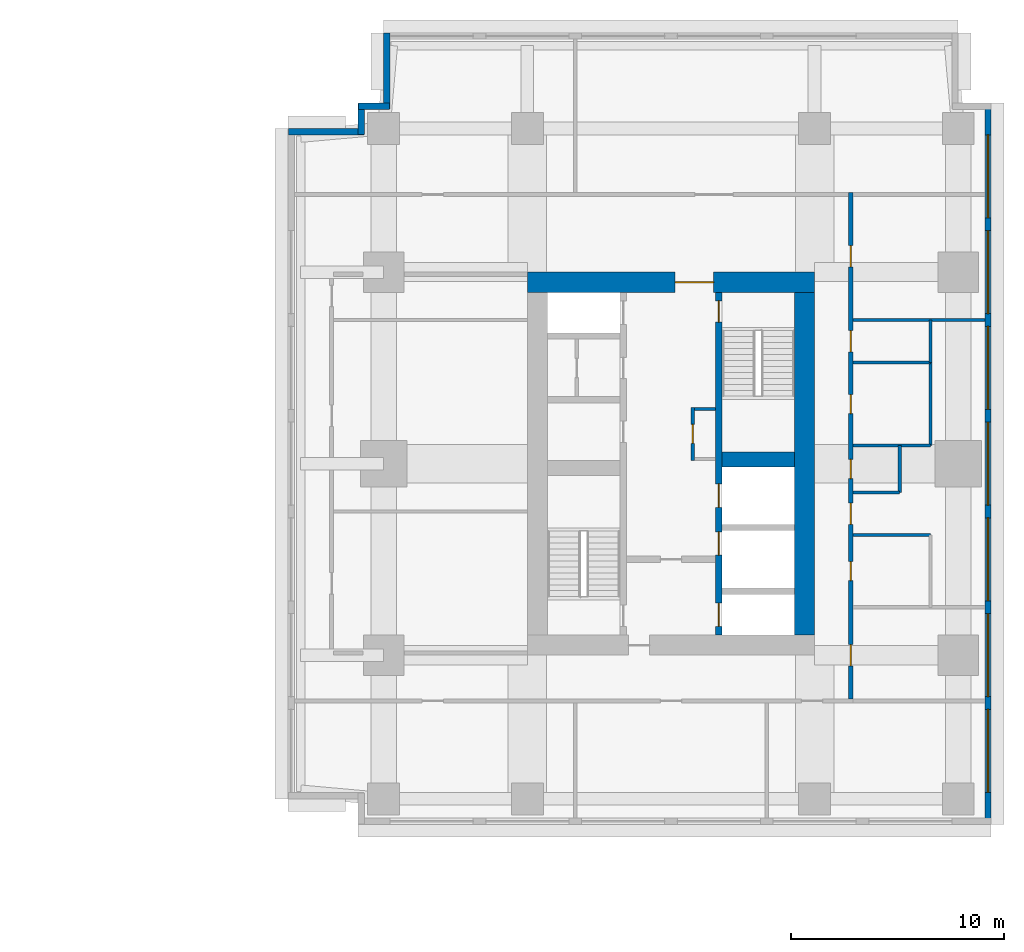
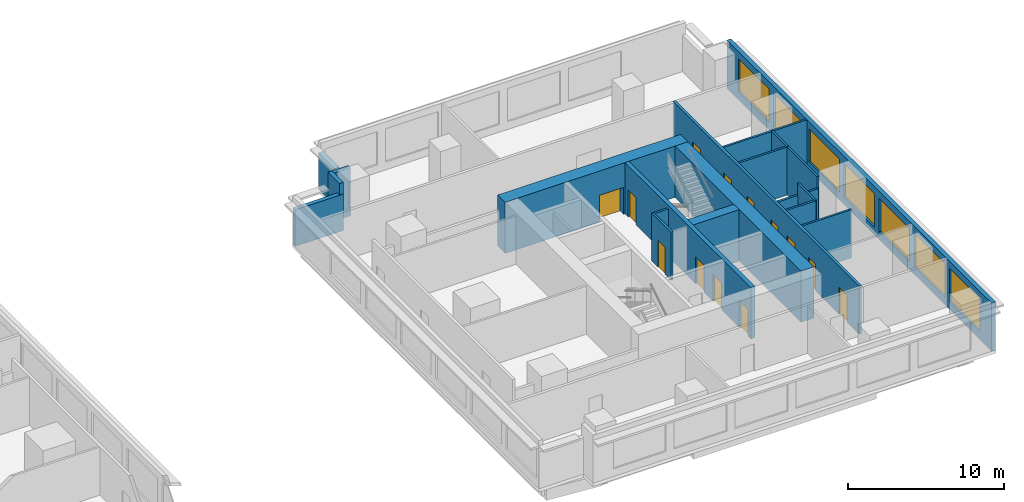
# One storey, part 7 of 10: 20 walls, 13 doors, 7 windows, 20 openings.
"""IFC4 building model written with IfcOpenShell, lengths in metres."""

from ifc_helpers import new_model, si_unit, direction, frame, frame_2d, origin, place, context, subcontext, project, spatial, rectangle, extrude, material, layer, layer_set, type_object, element, fill, save


model = new_model("IFC4")

# Units and contexts
model_context = context("Model", 3, precision=1e-05, world=origin(), true_north=direction((0.0, 1.0)))
body_context = subcontext(model_context, "Body", "Model", "MODEL_VIEW")
ifc_project = project(units=[si_unit("LENGTHUNIT", "METRE"), si_unit("AREAUNIT", "SQUARE_METRE"), si_unit("VOLUMEUNIT", "CUBIC_METRE"), si_unit("PLANEANGLEUNIT", "RADIAN"), si_unit("MASSUNIT", "GRAM", prefix="KILO")], contexts=[model_context])

# Site, building, storey
site_placement = place(None, origin())
site = spatial("IfcSite", under=ifc_project, at=site_placement, CompositionType="ELEMENT")
building_placement = place(site_placement, origin())
building = spatial("IfcBuilding", under=site, at=building_placement, Name="Namib Vertical Campus", CompositionType="ELEMENT")
storey_placement = place(building_placement, frame((0.0, 0.0, 145.0)))
storey = spatial("IfcBuildingStorey", under=building, at=storey_placement, Name="L34", CompositionType="ELEMENT", Elevation=145.0)

# Wall, openings, doors
ifc_material_1 = material(Name="Concrete C60/75", Category="concrete")
ifc_layer_1 = layer(ifc_material_1, 0.300048828125)
ifc_layer_set_1 = layer_set([ifc_layer_1], Name="Concrete C60/75")
wall_type_1 = type_object("IfcWallType", Name="Core inner wall 300", PredefinedType="SHEAR", material=ifc_layer_set_1)
wall_1_placement = place(storey_placement, frame((83.25, 12.199951171875, 0.0), z_axis=(0.0, 0.0, 1.0), x_axis=(0.0, 1.0, 0.0)))
wall_1 = element("IfcWall", 1, at=wall_1_placement, inside=storey, type_object=wall_type_1, Name="Core inner wall B L34 W2", PredefinedType="SHEAR", context=body_context, shape_type="SweptSolid", body=[
    extrude(rectangle(XDim=16.10009765625, YDim=0.300048828125, at=frame_2d((8.050048828125, 0.0))), origin(), (0.0, 0.0, 1.0), 4.0),
])
opening_1_placement = place(wall_1_placement, frame((14.699951171875, 0.0, 0.0)))
opening_1 = element("IfcOpeningElement", 2, at=opening_1_placement, cuts=wall_1, Name="Opening FD1", PredefinedType="OPENING", context=body_context, shape_type="SweptSolid", body=[
    extrude(rectangle(XDim=1.0, YDim=2.10009765625, at=frame_2d((0.5, 1.050048828125))), frame((0.0, 0.159912109375, 0.0), z_axis=(0.0, -1.0, 0.0), x_axis=(1.0, 0.0, 0.0)), (0.0, 0.0, 1.0), 0.320068359375),
])
opening_2_placement = place(wall_1_placement, frame((0.39990234375, 0.0, 0.0)))
opening_2 = element("IfcOpeningElement", 3, at=opening_2_placement, cuts=wall_1, Name="Opening LD1", PredefinedType="OPENING", context=body_context, shape_type="SweptSolid", body=[
    extrude(rectangle(XDim=1.10009765625, YDim=2.10009765625, at=frame_2d((0.550048828125, 1.050048828125))), frame((0.0, 0.159912109375, 0.0), z_axis=(0.0, -1.0, 0.0), x_axis=(1.0, 0.0, 0.0)), (0.0, 0.0, 1.0), 0.320068359375),
])
opening_3_placement = place(wall_1_placement, frame((3.75, 0.0, 0.0)))
opening_3 = element("IfcOpeningElement", 4, at=opening_3_placement, cuts=wall_1, Name="Opening LD1", PredefinedType="OPENING", context=body_context, shape_type="SweptSolid", body=[
    extrude(rectangle(XDim=1.10009765625, YDim=2.10009765625, at=frame_2d((0.550048828125, 1.050048828125))), frame((0.0, 0.159912109375, 0.0), z_axis=(0.0, -1.0, 0.0), x_axis=(1.0, 0.0, 0.0)), (0.0, 0.0, 1.0), 0.320068359375),
])
opening_4_placement = place(wall_1_placement, frame((6.0, 0.0, 0.0)))
opening_4 = element("IfcOpeningElement", 5, at=opening_4_placement, cuts=wall_1, Name="Opening LD1", PredefinedType="OPENING", context=body_context, shape_type="SweptSolid", body=[
    extrude(rectangle(XDim=1.10009765625, YDim=2.10009765625, at=frame_2d((0.550048828125, 1.050048828125))), frame((0.0, 0.159912109375, 0.0), z_axis=(0.0, -1.0, 0.0), x_axis=(1.0, 0.0, 0.0)), (0.0, 0.0, 1.0), 0.320068359375),
])
ifc_material_2 = material(Name="Steel fire door", Category="steel")
door_type_1 = type_object("IfcDoorType", Name="Fire door 1000x2100", OperationType="SINGLE_SWING_RIGHT", PredefinedType="DOOR", material=ifc_material_2)
door_1_placement = place(opening_1_placement, frame((1.0, 0.0, 0.0), z_axis=(0.0, 0.0, 1.0), x_axis=(-1.0, 0.0, 0.0)))
door_1 = element("IfcDoor", 6, at=door_1_placement, inside=storey, type_object=door_type_1, Name="Stair door FD1 B L34 S2", OperationType="SINGLE_SWING_LEFT", OverallHeight=2.10009765625, OverallWidth=1.0, PredefinedType="DOOR", context=body_context, shape_type="SweptSolid", body=[
    extrude(rectangle(XDim=1.0, YDim=2.10009765625, at=frame_2d((0.5, 1.050048828125))), frame((0.0, 0.02490234375, 0.0), z_axis=(0.0, -1.0, 0.0), x_axis=(1.0, 0.0, 0.0)), (0.0, 0.0, 1.0), 0.050048828125),
])
fill(opening_1, door_1)
ifc_material_3 = material(Name="Stainless steel lift door", Category="steel")
door_type_2 = type_object("IfcDoorType", Name="Lift landing door 1100x2100", OperationType="DOUBLE_DOOR_SLIDING", PredefinedType="DOOR", material=ifc_material_3)
door_2_placement = place(opening_2_placement, origin())
door_2 = element("IfcDoor", 7, at=door_2_placement, inside=storey, type_object=door_type_2, Name="Lift landing door LD1 B-FL1 L34", OperationType="DOUBLE_DOOR_SLIDING", OverallHeight=2.10009765625, OverallWidth=1.10009765625, PredefinedType="DOOR", context=body_context, shape_type="SweptSolid", body=[
    extrude(rectangle(XDim=1.10009765625, YDim=2.10009765625, at=frame_2d((0.550048828125, 1.050048828125))), frame((0.0, 0.02490234375, 0.0), z_axis=(0.0, -1.0, 0.0), x_axis=(1.0, 0.0, 0.0)), (0.0, 0.0, 1.0), 0.050048828125),
])
fill(opening_2, door_2)
door_3_placement = place(opening_3_placement, origin())
door_3 = element("IfcDoor", 8, at=door_3_placement, inside=storey, type_object=door_type_2, Name="Lift landing door LD1 B-P4 L34", OperationType="DOUBLE_DOOR_SLIDING", OverallHeight=2.10009765625, OverallWidth=1.10009765625, PredefinedType="DOOR", context=body_context, shape_type="SweptSolid", body=[
    extrude(rectangle(XDim=1.10009765625, YDim=2.10009765625, at=frame_2d((0.550048828125, 1.050048828125))), frame((0.0, 0.02490234375, 0.0), z_axis=(0.0, -1.0, 0.0), x_axis=(1.0, 0.0, 0.0)), (0.0, 0.0, 1.0), 0.050048828125),
])
fill(opening_3, door_3)
door_4_placement = place(opening_4_placement, origin())
door_4 = element("IfcDoor", 9, at=door_4_placement, inside=storey, type_object=door_type_2, Name="Lift landing door LD1 B-P5 L34", OperationType="DOUBLE_DOOR_SLIDING", OverallHeight=2.10009765625, OverallWidth=1.10009765625, PredefinedType="DOOR", context=body_context, shape_type="SweptSolid", body=[
    extrude(rectangle(XDim=1.10009765625, YDim=2.10009765625, at=frame_2d((0.550048828125, 1.050048828125))), frame((0.0, 0.02490234375, 0.0), z_axis=(0.0, -1.0, 0.0), x_axis=(1.0, 0.0, 0.0)), (0.0, 0.0, 1.0), 0.050048828125),
])
fill(opening_4, door_4)

# Walls
ifc_material_4 = material(Name="Concrete C60/75", Category="concrete")
ifc_layer_2 = layer(ifc_material_4, 0.699951171875)
ifc_layer_set_2 = layer_set([ifc_layer_2], Name="Concrete C60/75")
wall_type_2 = type_object("IfcWallType", Name="Core shear wall 700", PredefinedType="SHEAR", material=ifc_layer_set_2)
wall_2_placement = place(storey_placement, frame((83.39990234375, 20.449951171875, 0.0), z_axis=(0.0, 0.0, 1.0), x_axis=(1.0, 0.0, 0.0)))
element("IfcWall", 10, at=wall_2_placement, inside=storey, type_object=wall_type_2, Name="Core shear wall B L34 W7", PredefinedType="SHEAR", context=body_context, shape_type="SweptSolid", body=[
    extrude(rectangle(XDim=3.400146484375, YDim=0.699951171875, at=frame_2d((1.7001953125, 0.0))), origin(), (0.0, 0.0, 1.0), 4.0),
])
ifc_material_5 = material(Name="Concrete C60/75", Category="concrete")
ifc_layer_3 = layer(ifc_material_5, 0.949951171875)
ifc_layer_set_3 = layer_set([ifc_layer_3], Name="Concrete C60/75")
wall_type_3 = type_object("IfcWallType", Name="Core wall 950", PredefinedType="SHEAR", material=ifc_layer_set_3)
wall_3_placement = place(storey_placement, frame((87.27490234375, 12.199951171875, 0.0), z_axis=(0.0, 0.0, 1.0), x_axis=(0.0, 1.0, 0.0)))
element("IfcWall", 11, at=wall_3_placement, inside=storey, type_object=wall_type_3, Name="Core wall B L34 2", PredefinedType="SHEAR", context=body_context, shape_type="SweptSolid", body=[
    extrude(rectangle(XDim=16.10009765625, YDim=0.949951171875, at=frame_2d((8.050048828125, 0.0))), origin(), (0.0, 0.0, 1.0), 4.0),
])

# Wall, opening, door
wall_4_placement = place(storey_placement, frame((87.75, 28.77490234375, 0.0), z_axis=(0.0, 0.0, 1.0), x_axis=(-1.0, 0.0, 0.0)))
wall_4 = element("IfcWall", 12, at=wall_4_placement, inside=storey, type_object=wall_type_3, Name="Core wall B L34 3", PredefinedType="SHEAR", context=body_context, shape_type="SweptSolid", body=[
    extrude(rectangle(XDim=13.5, YDim=0.949951171875, at=frame_2d((6.75, 0.0))), origin(), (0.0, 0.0, 1.0), 4.0),
])
opening_5_placement = place(wall_4_placement, frame((4.75, 0.0, 0.0)))
opening_5 = element("IfcOpeningElement", 13, at=opening_5_placement, cuts=wall_4, Name="Opening FD2", PredefinedType="OPENING", context=body_context, shape_type="SweptSolid", body=[
    extrude(rectangle(XDim=1.800048828125, YDim=2.10009765625, at=frame_2d((0.89990234375, 1.050048828125))), frame((0.0, 0.48486328125, 0.0), z_axis=(0.0, -1.0, 0.0), x_axis=(1.0, 0.0, 0.0)), (0.0, 0.0, 1.0), 0.969970703125),
])
ifc_material_6 = material(Name="Steel fire door", Category="steel")
door_type_3 = type_object("IfcDoorType", Name="Fire door double 1800x2100", OperationType="DOUBLE_DOOR_SINGLE_SWING", PredefinedType="DOOR", material=ifc_material_6)
door_5_placement = place(opening_5_placement, origin())
door_5 = element("IfcDoor", 14, at=door_5_placement, inside=storey, type_object=door_type_3, Name="Lift lobby door FD2 B L34", OperationType="DOUBLE_DOOR_SINGLE_SWING", OverallHeight=2.10009765625, OverallWidth=1.800048828125, PredefinedType="DOOR", context=body_context, shape_type="SweptSolid", body=[
    extrude(rectangle(XDim=1.800048828125, YDim=2.10009765625, at=frame_2d((0.89990234375, 1.050048828125))), frame((0.0, 0.02490234375, 0.0), z_axis=(0.0, -1.0, 0.0), x_axis=(1.0, 0.0, 0.0)), (0.0, 0.0, 1.0), 0.050048828125),
])
fill(opening_5, door_5)

# Wall, openings, doors
ifc_material_7 = material(Name="Concrete masonry", Category="masonry")
ifc_layer_4 = layer(ifc_material_7, 0.199951171875)
ifc_layer_set_4 = layer_set([ifc_layer_4], Name="Corridor wall 200")
wall_type_4 = type_object("IfcWallType", Name="Corridor wall 200", PredefinedType="SOLIDWALL", material=ifc_layer_set_4)
wall_5_placement = place(storey_placement, frame((89.449951171875, 9.199951171875, 0.0), z_axis=(0.0, 0.0, 1.0), x_axis=(0.0, 1.0, 0.0)))
wall_5 = element("IfcWall", 15, at=wall_5_placement, inside=storey, type_object=wall_type_4, Name="Corridor wall B L34 CE", PredefinedType="SOLIDWALL", context=body_context, shape_type="SweptSolid", body=[
    extrude(rectangle(XDim=23.800048828125, YDim=0.199951171875, at=frame_2d((11.89990234375, 0.0))), origin(), (0.0, 0.0, 1.0), 3.75),
])
opening_6_placement = place(wall_5_placement, frame((1.550048828125, 0.0, 0.0)))
opening_6 = element("IfcOpeningElement", 16, at=opening_6_placement, cuts=wall_5, Name="Opening CD1", PredefinedType="OPENING", context=body_context, shape_type="SweptSolid", body=[
    extrude(rectangle(XDim=1.0, YDim=2.10009765625, at=frame_2d((0.5, 1.050048828125))), frame((0.0, 0.10986328125, 0.0), z_axis=(0.0, -1.0, 0.0), x_axis=(1.0, 0.0, 0.0)), (0.0, 0.0, 1.0), 0.219970703125),
])
opening_7_placement = place(wall_5_placement, frame((5.550048828125, 0.0, 0.0)))
opening_7 = element("IfcOpeningElement", 17, at=opening_7_placement, cuts=wall_5, Name="Opening CD3", PredefinedType="OPENING", context=body_context, shape_type="SweptSolid", body=[
    extrude(rectangle(XDim=0.89990234375, YDim=2.10009765625, at=frame_2d((0.449951171875, 1.050048828125))), frame((0.0, 0.10986328125, 0.0), z_axis=(0.0, -1.0, 0.0), x_axis=(1.0, 0.0, 0.0)), (0.0, 0.0, 1.0), 0.219970703125),
])
opening_8_placement = place(wall_5_placement, frame((10.35009765625, 0.0, 0.0)))
opening_8 = element("IfcOpeningElement", 18, at=opening_8_placement, cuts=wall_5, Name="Opening CD3", PredefinedType="OPENING", context=body_context, shape_type="SweptSolid", body=[
    extrude(rectangle(XDim=0.89990234375, YDim=2.10009765625, at=frame_2d((0.449951171875, 1.050048828125))), frame((0.0, 0.10986328125, 0.0), z_axis=(0.0, -1.0, 0.0), x_axis=(1.0, 0.0, 0.0)), (0.0, 0.0, 1.0), 0.219970703125),
])
opening_9_placement = place(wall_5_placement, frame((13.39990234375, 0.0, 0.0)))
opening_9 = element("IfcOpeningElement", 19, at=opening_9_placement, cuts=wall_5, Name="Opening CD3", PredefinedType="OPENING", context=body_context, shape_type="SweptSolid", body=[
    extrude(rectangle(XDim=0.89990234375, YDim=2.10009765625, at=frame_2d((0.449951171875, 1.050048828125))), frame((0.0, 0.10986328125, 0.0), z_axis=(0.0, -1.0, 0.0), x_axis=(1.0, 0.0, 0.0)), (0.0, 0.0, 1.0), 0.219970703125),
])
opening_10_placement = place(wall_5_placement, frame((16.300048828125, 0.0, 0.0)))
opening_10 = element("IfcOpeningElement", 20, at=opening_10_placement, cuts=wall_5, Name="Opening CD1", PredefinedType="OPENING", context=body_context, shape_type="SweptSolid", body=[
    extrude(rectangle(XDim=1.0, YDim=2.10009765625, at=frame_2d((0.5, 1.050048828125))), frame((0.0, 0.10986328125, 0.0), z_axis=(0.0, -1.0, 0.0), x_axis=(1.0, 0.0, 0.0)), (0.0, 0.0, 1.0), 0.219970703125),
])
opening_11_placement = place(wall_5_placement, frame((8.199951171875, 0.0, 0.0)))
opening_11 = element("IfcOpeningElement", 21, at=opening_11_placement, cuts=wall_5, Name="Opening CD1", PredefinedType="OPENING", context=body_context, shape_type="SweptSolid", body=[
    extrude(rectangle(XDim=1.0, YDim=2.10009765625, at=frame_2d((0.5, 1.050048828125))), frame((0.0, 0.10986328125, 0.0), z_axis=(0.0, -1.0, 0.0), x_axis=(1.0, 0.0, 0.0)), (0.0, 0.0, 1.0), 0.219970703125),
])
opening_12_placement = place(wall_5_placement, frame((20.300048828125, 0.0, 0.0)))
opening_12 = element("IfcOpeningElement", 22, at=opening_12_placement, cuts=wall_5, Name="Opening CD1", PredefinedType="OPENING", context=body_context, shape_type="SweptSolid", body=[
    extrude(rectangle(XDim=1.0, YDim=2.10009765625, at=frame_2d((0.5, 1.050048828125))), frame((0.0, 0.10986328125, 0.0), z_axis=(0.0, -1.0, 0.0), x_axis=(1.0, 0.0, 0.0)), (0.0, 0.0, 1.0), 0.219970703125),
])
ifc_material_8 = material(Name="Timber fire door leaf", Category="wood")
door_type_4 = type_object("IfcDoorType", Name="Corridor door 1000x2100 20 min", OperationType="SINGLE_SWING_LEFT", PredefinedType="DOOR", material=ifc_material_8)
door_6_placement = place(opening_6_placement, frame((1.0, 0.0, 0.0), z_axis=(0.0, 0.0, 1.0), x_axis=(-1.0, 0.0, 0.0)))
door_6 = element("IfcDoor", 23, at=door_6_placement, inside=storey, type_object=door_type_4, Name="Door CD1 B34-04", OperationType="SINGLE_SWING_RIGHT", OverallHeight=2.10009765625, OverallWidth=1.0, PredefinedType="DOOR", context=body_context, shape_type="SweptSolid", body=[
    extrude(rectangle(XDim=1.0, YDim=2.10009765625, at=frame_2d((0.5, 1.050048828125))), frame((0.0, 0.02490234375, 0.0), z_axis=(0.0, -1.0, 0.0), x_axis=(1.0, 0.0, 0.0)), (0.0, 0.0, 1.0), 0.050048828125),
])
fill(opening_6, door_6)
door_7_placement = place(opening_10_placement, frame((1.0, 0.0, 0.0), z_axis=(0.0, 0.0, 1.0), x_axis=(-1.0, 0.0, 0.0)))
door_7 = element("IfcDoor", 24, at=door_7_placement, inside=storey, type_object=door_type_4, Name="Door CD1 B34-08", OperationType="SINGLE_SWING_RIGHT", OverallHeight=2.10009765625, OverallWidth=1.0, PredefinedType="DOOR", context=body_context, shape_type="SweptSolid", body=[
    extrude(rectangle(XDim=1.0, YDim=2.10009765625, at=frame_2d((0.5, 1.050048828125))), frame((0.0, 0.02490234375, 0.0), z_axis=(0.0, -1.0, 0.0), x_axis=(1.0, 0.0, 0.0)), (0.0, 0.0, 1.0), 0.050048828125),
])
fill(opening_10, door_7)
door_8_placement = place(opening_11_placement, frame((1.0, 0.0, 0.0), z_axis=(0.0, 0.0, 1.0), x_axis=(-1.0, 0.0, 0.0)))
door_8 = element("IfcDoor", 25, at=door_8_placement, inside=storey, type_object=door_type_4, Name="Door CD1 B34-09", OperationType="SINGLE_SWING_RIGHT", OverallHeight=2.10009765625, OverallWidth=1.0, PredefinedType="DOOR", context=body_context, shape_type="SweptSolid", body=[
    extrude(rectangle(XDim=1.0, YDim=2.10009765625, at=frame_2d((0.5, 1.050048828125))), frame((0.0, 0.02490234375, 0.0), z_axis=(0.0, -1.0, 0.0), x_axis=(1.0, 0.0, 0.0)), (0.0, 0.0, 1.0), 0.050048828125),
])
fill(opening_11, door_8)
door_9_placement = place(opening_12_placement, frame((1.0, 0.0, 0.0), z_axis=(0.0, 0.0, 1.0), x_axis=(-1.0, 0.0, 0.0)))
door_9 = element("IfcDoor", 26, at=door_9_placement, inside=storey, type_object=door_type_4, Name="Door CD1 B34-10", OperationType="SINGLE_SWING_RIGHT", OverallHeight=2.10009765625, OverallWidth=1.0, PredefinedType="DOOR", context=body_context, shape_type="SweptSolid", body=[
    extrude(rectangle(XDim=1.0, YDim=2.10009765625, at=frame_2d((0.5, 1.050048828125))), frame((0.0, 0.02490234375, 0.0), z_axis=(0.0, -1.0, 0.0), x_axis=(1.0, 0.0, 0.0)), (0.0, 0.0, 1.0), 0.050048828125),
])
fill(opening_12, door_9)
ifc_material_9 = material(Name="Timber fire door leaf", Category="wood")
door_type_5 = type_object("IfcDoorType", Name="Corridor toilet door 900x2100 20 min", OperationType="SINGLE_SWING_LEFT", PredefinedType="DOOR", material=ifc_material_9)
door_10_placement = place(opening_7_placement, frame((0.89990234375, 0.0, 0.0), z_axis=(0.0, 0.0, 1.0), x_axis=(-1.0, 0.0, 0.0)))
door_10 = element("IfcDoor", 27, at=door_10_placement, inside=storey, type_object=door_type_5, Name="Door CD3 B34-05", OperationType="SINGLE_SWING_RIGHT", OverallHeight=2.10009765625, OverallWidth=0.89990234375, PredefinedType="DOOR", context=body_context, shape_type="SweptSolid", body=[
    extrude(rectangle(XDim=0.89990234375, YDim=2.10009765625, at=frame_2d((0.449951171875, 1.050048828125))), frame((0.0, 0.02490234375, 0.0), z_axis=(0.0, -1.0, 0.0), x_axis=(1.0, 0.0, 0.0)), (0.0, 0.0, 1.0), 0.050048828125),
])
fill(opening_7, door_10)
door_11_placement = place(opening_8_placement, frame((0.89990234375, 0.0, 0.0), z_axis=(0.0, 0.0, 1.0), x_axis=(-1.0, 0.0, 0.0)))
door_11 = element("IfcDoor", 28, at=door_11_placement, inside=storey, type_object=door_type_5, Name="Door CD3 B34-06", OperationType="SINGLE_SWING_RIGHT", OverallHeight=2.10009765625, OverallWidth=0.89990234375, PredefinedType="DOOR", context=body_context, shape_type="SweptSolid", body=[
    extrude(rectangle(XDim=0.89990234375, YDim=2.10009765625, at=frame_2d((0.449951171875, 1.050048828125))), frame((0.0, 0.02490234375, 0.0), z_axis=(0.0, -1.0, 0.0), x_axis=(1.0, 0.0, 0.0)), (0.0, 0.0, 1.0), 0.050048828125),
])
fill(opening_8, door_11)
door_12_placement = place(opening_9_placement, frame((0.89990234375, 0.0, 0.0), z_axis=(0.0, 0.0, 1.0), x_axis=(-1.0, 0.0, 0.0)))
door_12 = element("IfcDoor", 29, at=door_12_placement, inside=storey, type_object=door_type_5, Name="Door CD3 B34-07", OperationType="SINGLE_SWING_RIGHT", OverallHeight=2.10009765625, OverallWidth=0.89990234375, PredefinedType="DOOR", context=body_context, shape_type="SweptSolid", body=[
    extrude(rectangle(XDim=0.89990234375, YDim=2.10009765625, at=frame_2d((0.449951171875, 1.050048828125))), frame((0.0, 0.02490234375, 0.0), z_axis=(0.0, -1.0, 0.0), x_axis=(1.0, 0.0, 0.0)), (0.0, 0.0, 1.0), 0.050048828125),
])
fill(opening_9, door_12)

# Wall, openings, windows
ifc_material_10 = material(Name="Concrete C40/50", Category="concrete")
ifc_layer_5 = layer(ifc_material_10, 0.300048828125)
ifc_layer_set_5 = layer_set([ifc_layer_5], Name="Concrete C40/50")
wall_type_5 = type_object("IfcWallType", Name="External wall 300 board-marked concrete", PredefinedType="STANDARD", material=ifc_layer_set_5)
wall_6_placement = place(storey_placement, frame((95.89990234375, 3.320068359375, 0.0), z_axis=(0.0, 0.0, 1.0), x_axis=(0.0, 1.0, 0.0)))
wall_6 = element("IfcWall", 30, at=wall_6_placement, inside=storey, type_object=wall_type_5, Name="External wall L34 F04", PredefinedType="STANDARD", context=body_context, shape_type="SweptSolid", body=[
    extrude(rectangle(XDim=33.85986328125, YDim=0.300048828125, at=frame_2d((16.929931640625, 0.0))), origin(), (0.0, 0.0, 1.0), 3.75),
])
opening_13_placement = place(wall_6_placement, frame((1.47998046875, 0.0, 0.60009765625)))
opening_13 = element("IfcOpeningElement", 31, at=opening_13_placement, cuts=wall_6, Name="Opening W2", PredefinedType="OPENING", context=body_context, shape_type="SweptSolid", body=[
    extrude(rectangle(XDim=3.89990234375, YDim=2.60009765625, at=frame_2d((1.949951171875, 1.300048828125))), frame((0.0, 0.159912109375, 0.0), z_axis=(0.0, -1.0, 0.0), x_axis=(1.0, 0.0, 0.0)), (0.0, 0.0, 1.0), 0.320068359375),
])
opening_14_placement = place(wall_6_placement, frame((5.97998046875, 0.0, 0.60009765625)))
opening_14 = element("IfcOpeningElement", 32, at=opening_14_placement, cuts=wall_6, Name="Opening W2", PredefinedType="OPENING", context=body_context, shape_type="SweptSolid", body=[
    extrude(rectangle(XDim=3.89990234375, YDim=2.60009765625, at=frame_2d((1.949951171875, 1.300048828125))), frame((0.0, 0.159912109375, 0.0), z_axis=(0.0, -1.0, 0.0), x_axis=(1.0, 0.0, 0.0)), (0.0, 0.0, 1.0), 0.320068359375),
])
opening_15_placement = place(wall_6_placement, frame((10.47998046875, 0.0, 0.60009765625)))
opening_15 = element("IfcOpeningElement", 33, at=opening_15_placement, cuts=wall_6, Name="Opening W2", PredefinedType="OPENING", context=body_context, shape_type="SweptSolid", body=[
    extrude(rectangle(XDim=3.89990234375, YDim=2.60009765625, at=frame_2d((1.949951171875, 1.300048828125))), frame((0.0, 0.159912109375, 0.0), z_axis=(0.0, -1.0, 0.0), x_axis=(1.0, 0.0, 0.0)), (0.0, 0.0, 1.0), 0.320068359375),
])
opening_16_placement = place(wall_6_placement, frame((14.97998046875, 0.0, 0.60009765625)))
opening_16 = element("IfcOpeningElement", 34, at=opening_16_placement, cuts=wall_6, Name="Opening W2", PredefinedType="OPENING", context=body_context, shape_type="SweptSolid", body=[
    extrude(rectangle(XDim=3.89990234375, YDim=2.60009765625, at=frame_2d((1.949951171875, 1.300048828125))), frame((0.0, 0.159912109375, 0.0), z_axis=(0.0, -1.0, 0.0), x_axis=(1.0, 0.0, 0.0)), (0.0, 0.0, 1.0), 0.320068359375),
])
opening_17_placement = place(wall_6_placement, frame((19.47998046875, 0.0, 0.60009765625)))
opening_17 = element("IfcOpeningElement", 35, at=opening_17_placement, cuts=wall_6, Name="Opening W2", PredefinedType="OPENING", context=body_context, shape_type="SweptSolid", body=[
    extrude(rectangle(XDim=3.89990234375, YDim=2.60009765625, at=frame_2d((1.949951171875, 1.300048828125))), frame((0.0, 0.159912109375, 0.0), z_axis=(0.0, -1.0, 0.0), x_axis=(1.0, 0.0, 0.0)), (0.0, 0.0, 1.0), 0.320068359375),
])
opening_18_placement = place(wall_6_placement, frame((23.97998046875, 0.0, 0.60009765625)))
opening_18 = element("IfcOpeningElement", 36, at=opening_18_placement, cuts=wall_6, Name="Opening W2", PredefinedType="OPENING", context=body_context, shape_type="SweptSolid", body=[
    extrude(rectangle(XDim=3.89990234375, YDim=2.60009765625, at=frame_2d((1.949951171875, 1.300048828125))), frame((0.0, 0.159912109375, 0.0), z_axis=(0.0, -1.0, 0.0), x_axis=(1.0, 0.0, 0.0)), (0.0, 0.0, 1.0), 0.320068359375),
])
opening_19_placement = place(wall_6_placement, frame((28.47998046875, 0.0, 0.60009765625)))
opening_19 = element("IfcOpeningElement", 37, at=opening_19_placement, cuts=wall_6, Name="Opening W2", PredefinedType="OPENING", context=body_context, shape_type="SweptSolid", body=[
    extrude(rectangle(XDim=3.89990234375, YDim=2.60009765625, at=frame_2d((1.949951171875, 1.300048828125))), frame((0.0, 0.159912109375, 0.0), z_axis=(0.0, -1.0, 0.0), x_axis=(1.0, 0.0, 0.0)), (0.0, 0.0, 1.0), 0.320068359375),
])
ifc_material_11 = material(Name="Dark tinted glass in black aluminium frame", Category="aluminium")
window_type = type_object("IfcWindowType", Name="Ribbon window 3900x2600", PartitioningType="SINGLE_PANEL", PredefinedType="WINDOW", material=ifc_material_11)
window_1_placement = place(opening_13_placement, origin())
window_1 = element("IfcWindow", 38, at=window_1_placement, inside=storey, type_object=window_type, Name="Window W2 L34 F04-1", OverallHeight=2.60009765625, OverallWidth=3.89990234375, PartitioningType="SINGLE_PANEL", PredefinedType="WINDOW", context=body_context, shape_type="SweptSolid", body=[
    extrude(rectangle(XDim=3.89990234375, YDim=2.60009765625, at=frame_2d((1.949951171875, 1.300048828125))), frame((0.0, 0.030029296875, 0.0), z_axis=(0.0, -1.0, 0.0), x_axis=(1.0, 0.0, 0.0)), (0.0, 0.0, 1.0), 0.06005859375),
])
fill(opening_13, window_1)
window_2_placement = place(opening_14_placement, origin())
window_2 = element("IfcWindow", 39, at=window_2_placement, inside=storey, type_object=window_type, Name="Window W2 L34 F04-2", OverallHeight=2.60009765625, OverallWidth=3.89990234375, PartitioningType="SINGLE_PANEL", PredefinedType="WINDOW", context=body_context, shape_type="SweptSolid", body=[
    extrude(rectangle(XDim=3.89990234375, YDim=2.60009765625, at=frame_2d((1.949951171875, 1.300048828125))), frame((0.0, 0.030029296875, 0.0), z_axis=(0.0, -1.0, 0.0), x_axis=(1.0, 0.0, 0.0)), (0.0, 0.0, 1.0), 0.06005859375),
])
fill(opening_14, window_2)
window_3_placement = place(opening_15_placement, origin())
window_3 = element("IfcWindow", 40, at=window_3_placement, inside=storey, type_object=window_type, Name="Window W2 L34 F04-3", OverallHeight=2.60009765625, OverallWidth=3.89990234375, PartitioningType="SINGLE_PANEL", PredefinedType="WINDOW", context=body_context, shape_type="SweptSolid", body=[
    extrude(rectangle(XDim=3.89990234375, YDim=2.60009765625, at=frame_2d((1.949951171875, 1.300048828125))), frame((0.0, 0.030029296875, 0.0), z_axis=(0.0, -1.0, 0.0), x_axis=(1.0, 0.0, 0.0)), (0.0, 0.0, 1.0), 0.06005859375),
])
fill(opening_15, window_3)
window_4_placement = place(opening_16_placement, origin())
window_4 = element("IfcWindow", 41, at=window_4_placement, inside=storey, type_object=window_type, Name="Window W2 L34 F04-4", OverallHeight=2.60009765625, OverallWidth=3.89990234375, PartitioningType="SINGLE_PANEL", PredefinedType="WINDOW", context=body_context, shape_type="SweptSolid", body=[
    extrude(rectangle(XDim=3.89990234375, YDim=2.60009765625, at=frame_2d((1.949951171875, 1.300048828125))), frame((0.0, 0.030029296875, 0.0), z_axis=(0.0, -1.0, 0.0), x_axis=(1.0, 0.0, 0.0)), (0.0, 0.0, 1.0), 0.06005859375),
])
fill(opening_16, window_4)
window_5_placement = place(opening_17_placement, origin())
window_5 = element("IfcWindow", 42, at=window_5_placement, inside=storey, type_object=window_type, Name="Window W2 L34 F04-5", OverallHeight=2.60009765625, OverallWidth=3.89990234375, PartitioningType="SINGLE_PANEL", PredefinedType="WINDOW", context=body_context, shape_type="SweptSolid", body=[
    extrude(rectangle(XDim=3.89990234375, YDim=2.60009765625, at=frame_2d((1.949951171875, 1.300048828125))), frame((0.0, 0.030029296875, 0.0), z_axis=(0.0, -1.0, 0.0), x_axis=(1.0, 0.0, 0.0)), (0.0, 0.0, 1.0), 0.06005859375),
])
fill(opening_17, window_5)
window_6_placement = place(opening_18_placement, origin())
window_6 = element("IfcWindow", 43, at=window_6_placement, inside=storey, type_object=window_type, Name="Window W2 L34 F04-6", OverallHeight=2.60009765625, OverallWidth=3.89990234375, PartitioningType="SINGLE_PANEL", PredefinedType="WINDOW", context=body_context, shape_type="SweptSolid", body=[
    extrude(rectangle(XDim=3.89990234375, YDim=2.60009765625, at=frame_2d((1.949951171875, 1.300048828125))), frame((0.0, 0.030029296875, 0.0), z_axis=(0.0, -1.0, 0.0), x_axis=(1.0, 0.0, 0.0)), (0.0, 0.0, 1.0), 0.06005859375),
])
fill(opening_18, window_6)
window_7_placement = place(opening_19_placement, origin())
window_7 = element("IfcWindow", 44, at=window_7_placement, inside=storey, type_object=window_type, Name="Window W2 L34 F04-7", OverallHeight=2.60009765625, OverallWidth=3.89990234375, PartitioningType="SINGLE_PANEL", PredefinedType="WINDOW", context=body_context, shape_type="SweptSolid", body=[
    extrude(rectangle(XDim=3.89990234375, YDim=2.60009765625, at=frame_2d((1.949951171875, 1.300048828125))), frame((0.0, 0.030029296875, 0.0), z_axis=(0.0, -1.0, 0.0), x_axis=(1.0, 0.0, 0.0)), (0.0, 0.0, 1.0), 0.06005859375),
])
fill(opening_19, window_7)

# Walls
wall_7_placement = place(storey_placement, frame((67.64990234375, 40.47998046875, 0.0), z_axis=(0.0, 0.0, 1.0), x_axis=(0.0, -1.0, 0.0)))
element("IfcWall", 45, at=wall_7_placement, inside=storey, type_object=wall_type_5, Name="External wall L34 F08", PredefinedType="STANDARD", context=body_context, shape_type="SweptSolid", body=[
    extrude(rectangle(XDim=3.56005859375, YDim=0.300048828125, at=frame_2d((1.780029296875, 0.0))), origin(), (0.0, 0.0, 1.0), 2.85009765625),
])
for number, where, z_axis, x_axis, name in (
    (46, (67.780029296875, 37.050048828125, 0.0), (0.0, 0.0, 1.0), (-1.0, 0.0, 0.0), "External wall L34 F09"),
    (47, (66.449951171875, 37.179931640625, 0.0), (0.0, 0.0, 1.0), (0.0, -1.0, 0.0), "External wall L34 F10"),
):
    element("IfcWall", number, at=place(storey_placement, frame(where, z_axis=z_axis, x_axis=x_axis)), inside=storey, type_object=wall_type_5, Name=name, PredefinedType="STANDARD", context=body_context, shape_type="SweptSolid", body=[
        extrude(rectangle(XDim=1.4599609375, YDim=0.300048828125, at=frame_2d((0.72998046875, 0.0))), origin(), (0.0, 0.0, 1.0), 3.75),
    ])
wall_8_placement = place(storey_placement, frame((66.580078125, 35.85009765625, 0.0), z_axis=(0.0, 0.0, 1.0), x_axis=(-1.0, 0.0, 0.0)))
element("IfcWall", 48, at=wall_8_placement, inside=storey, type_object=wall_type_5, Name="External wall L34 F11", PredefinedType="STANDARD", context=body_context, shape_type="SweptSolid", body=[
    extrude(rectangle(XDim=3.56005859375, YDim=0.300048828125, at=frame_2d((1.780029296875, 0.0))), origin(), (0.0, 0.0, 1.0), 2.85009765625),
])

# Wall, opening, door
ifc_material_12 = material(Name="Gypsum board on steel studs", Category="steel")
ifc_layer_6 = layer(ifc_material_12, 0.14990234375)
ifc_layer_set_6 = layer_set([ifc_layer_6], Name="Gypsum board on steel studs")
wall_type_6 = type_object("IfcWallType", Name="Partition 150", PredefinedType="PARTITIONING", material=ifc_layer_set_6)
wall_9_placement = place(storey_placement, frame((82.02490234375, 20.39990234375, 0.0), z_axis=(0.0, 0.0, 1.0), x_axis=(0.0, 1.0, 0.0)))
wall_9 = element("IfcWall", 49, at=wall_9_placement, inside=storey, type_object=wall_type_6, Name="Partition B L34 Cleaners' store front", PredefinedType="PARTITIONING", context=body_context, shape_type="SweptSolid", body=[
    extrude(rectangle(XDim=2.5, YDim=0.14990234375, at=frame_2d((1.25, 0.0))), origin(), (0.0, 0.0, 1.0), 3.75),
])
opening_20_placement = place(wall_9_placement, frame((0.800048828125, 0.0, 0.0)))
opening_20 = element("IfcOpeningElement", 50, at=opening_20_placement, cuts=wall_9, Name="Opening D3", PredefinedType="OPENING", context=body_context, shape_type="SweptSolid", body=[
    extrude(rectangle(XDim=0.89990234375, YDim=2.10009765625, at=frame_2d((0.449951171875, 1.050048828125))), frame((0.0, 0.0849609375, 0.0), z_axis=(0.0, -1.0, 0.0), x_axis=(1.0, 0.0, 0.0)), (0.0, 0.0, 1.0), 0.169921875),
])
ifc_material_13 = material(Name="Timber door leaf", Category="wood")
door_type_6 = type_object("IfcDoorType", Name="Toilet door 900x2100", OperationType="SINGLE_SWING_LEFT", PredefinedType="DOOR", material=ifc_material_13)
door_13_placement = place(opening_20_placement, frame((0.89990234375, 0.0, 0.0), z_axis=(0.0, 0.0, 1.0), x_axis=(-1.0, 0.0, 0.0)))
door_13 = element("IfcDoor", 51, at=door_13_placement, inside=storey, type_object=door_type_6, Name="Door D3 Cleaners' store B L34", OperationType="SINGLE_SWING_RIGHT", OverallHeight=2.10009765625, OverallWidth=0.89990234375, PredefinedType="DOOR", context=body_context, shape_type="SweptSolid", body=[
    extrude(rectangle(XDim=0.89990234375, YDim=2.10009765625, at=frame_2d((0.449951171875, 1.050048828125))), frame((0.0, 0.02490234375, 0.0), z_axis=(0.0, -1.0, 0.0), x_axis=(1.0, 0.0, 0.0)), (0.0, 0.0, 1.0), 0.050048828125),
])
fill(opening_20, door_13)

# Walls
wall_10_placement = place(storey_placement, frame((82.10009765625, 22.824951171875, 0.0), z_axis=(0.0, 0.0, 1.0), x_axis=(1.0, 0.0, 0.0)))
element("IfcWall", 52, at=wall_10_placement, inside=storey, type_object=wall_type_6, Name="Partition B L34 Cleaners' store end 2", PredefinedType="PARTITIONING", context=body_context, shape_type="SweptSolid", body=[
    extrude(rectangle(XDim=1.0, YDim=0.14990234375, at=frame_2d((0.5, 0.0))), origin(), (0.0, 0.0, 1.0), 3.75),
])
wall_11_placement = place(storey_placement, frame((89.550048828125, 27.0, 0.0), z_axis=(0.0, 0.0, 1.0), x_axis=(1.0, 0.0, 0.0)))
element("IfcWall", 53, at=wall_11_placement, inside=storey, type_object=wall_type_6, Name="Partition B L34 PE2", PredefinedType="PARTITIONING", context=body_context, shape_type="SweptSolid", body=[
    extrude(rectangle(XDim=6.199951171875, YDim=0.14990234375, at=frame_2d((3.10009765625, 0.0))), origin(), (0.0, 0.0, 1.0), 3.75),
])
wall_12_placement = place(storey_placement, frame((89.550048828125, 16.89990234375, 0.0), z_axis=(0.0, 0.0, 1.0), x_axis=(1.0, 0.0, 0.0)))
element("IfcWall", 54, at=wall_12_placement, inside=storey, type_object=wall_type_6, Name="Partition B L34 WR1", PredefinedType="PARTITIONING", context=body_context, shape_type="SweptSolid", body=[
    extrude(rectangle(XDim=3.64990234375, YDim=0.14990234375, at=frame_2d((1.824951171875, 0.0))), origin(), (0.0, 0.0, 1.0), 3.75),
])
wall_13_placement = place(storey_placement, frame((89.550048828125, 18.89990234375, 0.0), z_axis=(0.0, 0.0, 1.0), x_axis=(1.0, 0.0, 0.0)))
element("IfcWall", 55, at=wall_13_placement, inside=storey, type_object=wall_type_6, Name="Partition B L34 WR2", PredefinedType="PARTITIONING", context=body_context, shape_type="SweptSolid", body=[
    extrude(rectangle(XDim=2.199951171875, YDim=0.14990234375, at=frame_2d((1.10009765625, 0.0))), origin(), (0.0, 0.0, 1.0), 3.75),
])
wall_14_placement = place(storey_placement, frame((89.550048828125, 21.10009765625, 0.0), z_axis=(0.0, 0.0, 1.0), x_axis=(1.0, 0.0, 0.0)))
element("IfcWall", 56, at=wall_14_placement, inside=storey, type_object=wall_type_6, Name="Partition B L34 WR3", PredefinedType="PARTITIONING", context=body_context, shape_type="SweptSolid", body=[
    extrude(rectangle(XDim=3.64990234375, YDim=0.14990234375, at=frame_2d((1.824951171875, 0.0))), origin(), (0.0, 0.0, 1.0), 2.85009765625),
])
wall_15_placement = place(storey_placement, frame((89.550048828125, 25.0, 0.0), z_axis=(0.0, 0.0, 1.0), x_axis=(1.0, 0.0, 0.0)))
element("IfcWall", 57, at=wall_15_placement, inside=storey, type_object=wall_type_6, Name="Partition B L34 WR4", PredefinedType="PARTITIONING", context=body_context, shape_type="SweptSolid", body=[
    extrude(rectangle(XDim=3.64990234375, YDim=0.14990234375, at=frame_2d((1.824951171875, 0.0))), origin(), (0.0, 0.0, 1.0), 3.75),
])
wall_16_placement = place(storey_placement, frame((91.75, 18.89990234375, 0.0), z_axis=(0.0, 0.0, 1.0), x_axis=(0.0, 1.0, 0.0)))
element("IfcWall", 58, at=wall_16_placement, inside=storey, type_object=wall_type_6, Name="Partition B L34 WB2", PredefinedType="PARTITIONING", context=body_context, shape_type="SweptSolid", body=[
    extrude(rectangle(XDim=2.2001953125, YDim=0.14990234375, at=frame_2d((1.10009765625, 0.0))), origin(), (0.0, 0.0, 1.0), 3.75),
])
wall_17_placement = place(storey_placement, frame((93.199951171875, 21.10009765625, 0.0), z_axis=(0.0, 0.0, 1.0), x_axis=(0.0, 1.0, 0.0)))
element("IfcWall", 59, at=wall_17_placement, inside=storey, type_object=wall_type_6, Name="Partition B L34 WB3", PredefinedType="PARTITIONING", context=body_context, shape_type="SweptSolid", body=[
    extrude(rectangle(XDim=3.89990234375, YDim=0.14990234375, at=frame_2d((1.949951171875, 0.0))), origin(), (0.0, 0.0, 1.0), 3.75),
])
wall_18_placement = place(storey_placement, frame((93.199951171875, 25.0, 0.0), z_axis=(0.0, 0.0, 1.0), x_axis=(0.0, 1.0, 0.0)))
element("IfcWall", 60, at=wall_18_placement, inside=storey, type_object=wall_type_6, Name="Partition B L34 WB4", PredefinedType="PARTITIONING", context=body_context, shape_type="SweptSolid", body=[
    extrude(rectangle(XDim=2.0, YDim=0.14990234375, at=frame_2d((1.0, 0.0))), origin(), (0.0, 0.0, 1.0), 3.75),
])

save(model, "model.ifc")
